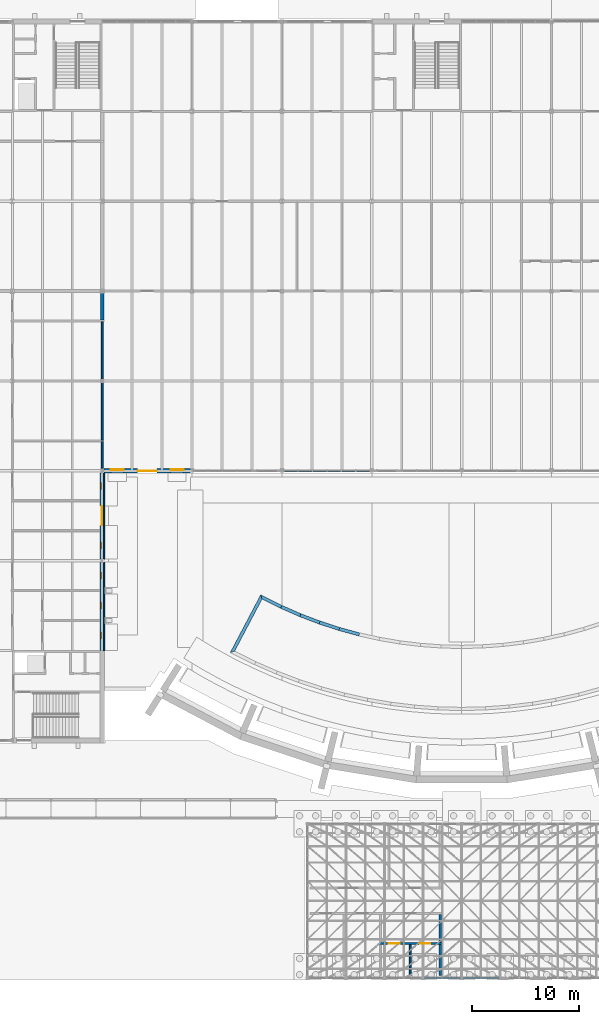
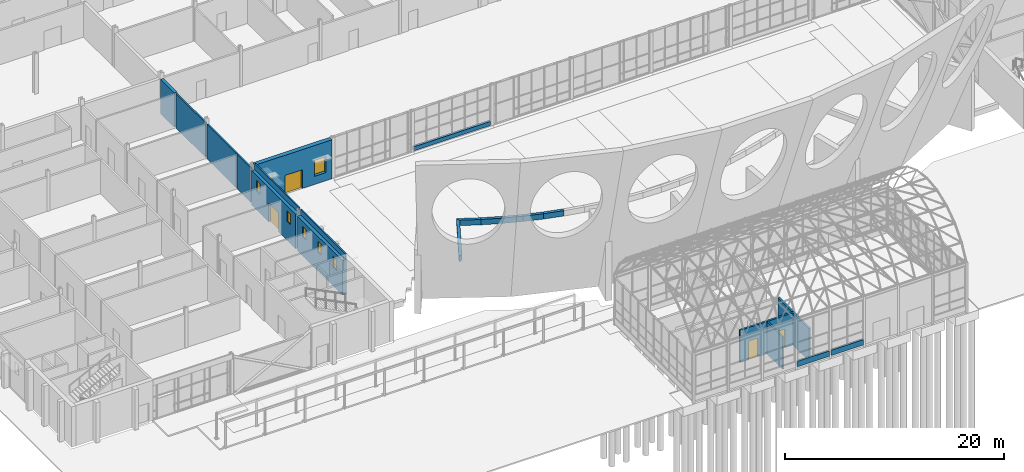
# One storey, part 86 of 116: 22 walls, 7 windows, 4 doors, 11 openings.
"""IFC4 building model written with IfcOpenShell, lengths in metres."""

from ifc_helpers import new_model, si_unit, direction, frame, frame_2d, origin, place, context, subcontext, project, spatial, polyline, rectangle, outline, extrude, material, layer, layer_set, type_object, element, fill, save


model = new_model("IFC4")

# Units and contexts
model_context = context("Model", 3, precision=1e-05, world=origin(), true_north=direction((0.0, 1.0)))
body_context = subcontext(model_context, "Body", "Model", "MODEL_VIEW")
ifc_project = project(units=[si_unit("LENGTHUNIT", "METRE"), si_unit("AREAUNIT", "SQUARE_METRE"), si_unit("VOLUMEUNIT", "CUBIC_METRE"), si_unit("PLANEANGLEUNIT", "RADIAN"), si_unit("MASSUNIT", "GRAM", prefix="KILO")], contexts=[model_context])

# Site, building, storey
site_placement = place(None, origin())
site = spatial("IfcSite", under=ifc_project, at=site_placement, CompositionType="ELEMENT")
building_placement = place(site_placement, origin())
building = spatial("IfcBuilding", under=site, at=building_placement, Name="Ardhachandra Cancer Care Centre", CompositionType="ELEMENT")
storey_placement = place(building_placement, origin())
storey = spatial("IfcBuildingStorey", under=building, at=storey_placement, Name="L00", CompositionType="ELEMENT", Elevation=0.0)

# Wall
ifc_material_1 = material(Name="Brick masonry", Category="masonry")
ifc_layer_1 = layer(ifc_material_1, 0.300048828125)
ifc_layer_set_1 = layer_set([ifc_layer_1], Name="Brick masonry")
wall_type_1 = type_object("IfcWallType", Name="COMPARTMENT WALL 300", PredefinedType="SOLIDWALL", material=ifc_layer_set_1)
wall_1_placement = place(storey_placement, frame((44.39990234375, 68.679931640625, 0.0), z_axis=(0.0, 0.0, 1.0), x_axis=(0.0, 1.0, 0.0)))
element("IfcWall", 1, at=wall_1_placement, inside=storey, type_object=wall_type_1, Name="R/wall/L00/v0044400_0068680", PredefinedType="SOLIDWALL", context=body_context, shape_type="SweptSolid", body=[
    extrude(rectangle(XDim=2.524658203125, YDim=0.300048828125, at=frame_2d((1.26220703125, 0.0))), origin(), (0.0, 0.0, 1.0), 3.85009765625),
])

# Wall, openings, doors
ifc_material_2 = material(Name="Gypsum board corridor partition on steel studs", Category="steel")
ifc_layer_2 = layer(ifc_material_2, 0.199951171875)
ifc_layer_set_2 = layer_set([ifc_layer_2], Name="Gypsum board corridor partition on steel studs")
wall_type_2 = type_object("IfcWallType", Name="CORRIDOR WALL 200", PredefinedType="PARTITIONING", material=ifc_layer_set_2)
wall_2_placement = place(storey_placement, frame((70.300048828125, 10.39990234375, 0.0), z_axis=(0.0, 0.0, 1.0), x_axis=(1.0, 0.0, 0.0)))
wall_2 = element("IfcWall", 2, at=wall_2_placement, inside=storey, type_object=wall_type_2, Name="R/wall/L00/h0010400_0070300", PredefinedType="PARTITIONING", context=body_context, shape_type="SweptSolid", body=[
    extrude(rectangle(XDim=5.800048828125, YDim=0.199951171875, at=frame_2d((2.89990234375, 0.0))), origin(), (0.0, 0.0, 1.0), 3.60009765625),
])
opening_1_placement = place(wall_2_placement, frame((0.89990234375, 0.0, 0.0)))
opening_1 = element("IfcOpeningElement", 3, at=opening_1_placement, cuts=wall_2, Name="Opening L00-0001", PredefinedType="OPENING", context=body_context, shape_type="SweptSolid", body=[
    extrude(rectangle(XDim=1.0, YDim=2.10009765625, at=frame_2d((0.5, 1.050048828125))), frame((0.0, 0.10986328125, 0.0), z_axis=(0.0, -1.0, 0.0), x_axis=(1.0, 0.0, 0.0)), (0.0, 0.0, 1.0), 0.219970703125),
])
opening_2_placement = place(wall_2_placement, frame((3.85009765625, 0.0, 0.0)))
opening_2 = element("IfcOpeningElement", 4, at=opening_2_placement, cuts=wall_2, Name="Opening L00-0002", PredefinedType="OPENING", context=body_context, shape_type="SweptSolid", body=[
    extrude(rectangle(XDim=0.89990234375, YDim=2.10009765625, at=frame_2d((0.449951171875, 1.050048828125))), frame((0.0, 0.10986328125, 0.0), z_axis=(0.0, -1.0, 0.0), x_axis=(1.0, 0.0, 0.0)), (0.0, 0.0, 1.0), 0.219970703125),
])
ifc_material_3 = material(Name="Timber fire door with smoke seals", Category="wood")
door_type_1 = type_object("IfcDoorType", Name="FIRE DOOR SINGLE 1000x2100 FD30S", OperationType="NOTDEFINED", PredefinedType="DOOR", material=ifc_material_3)
door_1_placement = place(opening_1_placement, origin())
door_1 = element("IfcDoor", 5, at=door_1_placement, inside=storey, type_object=door_type_1, Name="Door L00-0001", OperationType="SINGLE_SWING_LEFT", OverallHeight=2.10009765625, OverallWidth=1.0, PredefinedType="DOOR", context=body_context, shape_type="SweptSolid", body=[
    extrude(rectangle(XDim=1.0, YDim=2.10009765625, at=frame_2d((0.5, 1.050048828125))), frame((0.0, 0.02490234375, 0.0), z_axis=(0.0, -1.0, 0.0), x_axis=(1.0, 0.0, 0.0)), (0.0, 0.0, 1.0), 0.050048828125),
])
fill(opening_1, door_1)
ifc_material_4 = material(Name="Timber fire door with smoke seals", Category="wood")
door_type_2 = type_object("IfcDoorType", Name="FIRE DOOR WC 900x2100 FD30S", OperationType="NOTDEFINED", PredefinedType="DOOR", material=ifc_material_4)
door_2_placement = place(opening_2_placement, origin())
door_2 = element("IfcDoor", 6, at=door_2_placement, inside=storey, type_object=door_type_2, Name="Door L00-0002", OperationType="SINGLE_SWING_LEFT", OverallHeight=2.10009765625, OverallWidth=0.89990234375, PredefinedType="DOOR", context=body_context, shape_type="SweptSolid", body=[
    extrude(rectangle(XDim=0.89990234375, YDim=2.10009765625, at=frame_2d((0.449951171875, 1.050048828125))), frame((0.0, 0.02490234375, 0.0), z_axis=(0.0, -1.0, 0.0), x_axis=(1.0, 0.0, 0.0)), (0.0, 0.0, 1.0), 0.050048828125),
])
fill(opening_2, door_2)

# Walls
wall_3_placement = place(storey_placement, frame((76.0, 7.425048828125, 0.0), z_axis=(0.0, 0.0, 1.0), x_axis=(0.0, 1.0, 0.0)))
element("IfcWall", 7, at=wall_3_placement, inside=storey, type_object=wall_type_2, Name="R/wall/L00/v0076000_0007425", PredefinedType="PARTITIONING", context=body_context, shape_type="SweptSolid", body=[
    extrude(rectangle(XDim=2.875, YDim=0.199951171875, at=frame_2d((1.4375, 0.0))), origin(), (0.0, 0.0, 1.0), 3.60009765625),
])
wall_4_placement = place(storey_placement, frame((76.0, 10.5, 0.0), z_axis=(0.0, 0.0, 1.0), x_axis=(0.0, 1.0, 0.0)))
element("IfcWall", 8, at=wall_4_placement, inside=storey, type_object=wall_type_2, Name="R/wall/L00/v0076000_0010500", PredefinedType="PARTITIONING", context=body_context, shape_type="SweptSolid", body=[
    extrude(rectangle(XDim=2.60009765625, YDim=0.199951171875, at=frame_2d((1.300048828125, 0.0))), origin(), (0.0, 0.0, 1.0), 3.60009765625),
])
ifc_material_5 = material(Name="Precast Concrete M30 fascia panel with brick slip facing", Category="masonry")
ifc_layer_3 = layer(ifc_material_5, 0.1298828125)
ifc_layer_set_3 = layer_set([ifc_layer_3], Name="Precast Concrete M30 fascia panel with brick slip facing")
wall_type_3 = type_object("IfcWallType", Name="Edge beam fascia 130", PredefinedType="SOLIDWALL", material=ifc_layer_set_3)
wall_5_placement = place(storey_placement, frame((44.56005859375, 37.800048828125, 3.8701171875), z_axis=(0.0, 0.0, 1.0), x_axis=(0.0, 1.0, 0.0)))
element("IfcWall", 9, at=wall_5_placement, inside=storey, type_object=wall_type_3, Name="E/fascia/L00/e/0044400_0037800", PredefinedType="SOLIDWALL", context=body_context, shape_type="SweptSolid", body=[
    extrude(rectangle(XDim=8.2548828125, YDim=0.1298828125, at=frame_2d((4.12744140625, 0.0))), origin(), (0.0, 0.0, 1.0), 0.6298828125),
])
wall_6_placement = place(storey_placement, frame((44.56005859375, 46.344970703125, 3.8701171875), z_axis=(0.0, 0.0, 1.0), x_axis=(0.0, 1.0, 0.0)))
element("IfcWall", 10, at=wall_6_placement, inside=storey, type_object=wall_type_3, Name="E/fascia/L00/e/0044400_0046200", PredefinedType="SOLIDWALL", context=body_context, shape_type="SweptSolid", body=[
    extrude(rectangle(XDim=8.054931640625, YDim=0.1298828125, at=frame_2d((4.02734375, 0.0))), origin(), (0.0, 0.0, 1.0), 0.6298828125),
])
ifc_material_6 = material(Name="Lead-lined gypsum board partition (1.5 mm lead)")
ifc_layer_4 = layer(ifc_material_6, 0.159912109375)
ifc_layer_set_4 = layer_set([ifc_layer_4], Name="Lead-lined gypsum board partition (1.5 mm lead)")
wall_type_4 = type_object("IfcWallType", Name="LEAD-LINED PARTITION 160", PredefinedType="PARTITIONING", material=ifc_layer_set_4)
wall_7_placement = place(storey_placement, frame((44.39990234375, 54.824951171875, 0.0), z_axis=(0.0, 0.0, 1.0), x_axis=(0.0, 1.0, 0.0)))
element("IfcWall", 11, at=wall_7_placement, inside=storey, type_object=wall_type_4, Name="R/wall/L00/v0044400_0054825", PredefinedType="PARTITIONING", context=body_context, shape_type="SweptSolid", body=[
    extrude(rectangle(XDim=2.4951171875, YDim=0.159912109375, at=frame_2d((1.24755859375, 0.0))), origin(), (0.0, 0.0, 1.0), 3.85009765625),
])
for number, where, z_axis, x_axis, name in (
    (12, (44.39990234375, 57.47998046875, 0.0), (0.0, 0.0, 1.0), (0.0, 1.0, 0.0), "R/wall/L00/v0044400_0057480"),
    (13, (44.39990234375, 63.14990234375, 0.0), (0.0, 0.0, 1.0), (0.0, 1.0, 0.0), "R/wall/L00/v0044400_0063150"),
):
    element("IfcWall", number, at=place(storey_placement, frame(where, z_axis=z_axis, x_axis=x_axis)), inside=storey, type_object=wall_type_4, Name=name, PredefinedType="PARTITIONING", context=body_context, shape_type="SweptSolid", body=[
        extrude(rectangle(XDim=5.3701171875, YDim=0.159912109375, at=frame_2d((2.68505859375, 0.0))), origin(), (0.0, 0.0, 1.0), 3.85009765625),
    ])
ifc_material_7 = material(Name="Stone masonry (sandstone, cement mortar)", Category="masonry")
ifc_layer_5 = layer(ifc_material_7, 0.199951171875)
ifc_layer_set_5 = layer_set([ifc_layer_5], Name="Stone masonry (sandstone, cement mortar)")
wall_type_5 = type_object("IfcWallType", Name="Pavilion low wall 200", PredefinedType="SOLIDWALL", material=ifc_layer_set_5)
for number, where, z_axis, x_axis, name in (
    (14, (74.514892578125, 7.199951171875, 0.0), (0.0, 0.0, 1.0), (1.0, 0.0, 0.0), "Pavilion plinth wall s 4"),
    (15, (78.114990234375, 7.199951171875, 0.0), (0.0, 0.0, 1.0), (1.0, 0.0, 0.0), "Pavilion plinth wall s 5"),
):
    element("IfcWall", number, at=place(storey_placement, frame(where, z_axis=z_axis, x_axis=x_axis)), inside=storey, type_object=wall_type_5, Name=name, PredefinedType="SOLIDWALL", context=body_context, shape_type="SweptSolid", body=[
        extrude(rectangle(XDim=3.3701171875, YDim=0.199951171875, at=frame_2d((1.68505859375, 0.0))), origin(), (0.0, 0.0, 1.0), 0.60009765625),
    ])
ifc_material_8 = material(Name="Granite", Category="masonry")
ifc_layer_6 = layer(ifc_material_8, 0.300048828125)
ifc_layer_set_6 = layer_set([ifc_layer_6], Name="Granite")
wall_type_6 = type_object("IfcWallType", Name="Pool kerb 300 granite", PredefinedType="SOLIDWALL", material=ifc_layer_set_6)
wall_8_placement = place(storey_placement, frame((0.0, 0.0, -0.449951171875)))
element("IfcWall", 16, at=wall_8_placement, inside=storey, type_object=wall_type_6, Name="Pool kerb 37", PredefinedType="SOLIDWALL", context=body_context, shape_type="SweptSolid", body=[
    extrude(outline(polyline([(68.389404296875, 39.16064453125), (66.51708984375, 39.67236328125), (66.603271484375, 39.959716796875), (68.46142578125, 39.451904296875), (68.389404296875, 39.16064453125)])), origin(), (0.0, 0.0, 1.0), 0.599853515625),
])
wall_9_placement = place(storey_placement, frame((0.0, 0.0, -0.449951171875)))
element("IfcWall", 17, at=wall_9_placement, inside=storey, type_object=wall_type_6, Name="Pool kerb 38", PredefinedType="SOLIDWALL", context=body_context, shape_type="SweptSolid", body=[
    extrude(outline(polyline([(66.51708984375, 39.67236328125), (64.671875, 40.274169921875), (64.77197265625, 40.55712890625), (66.603271484375, 39.959716796875), (66.51708984375, 39.67236328125)])), origin(), (0.0, 0.0, 1.0), 0.599853515625),
])
wall_10_placement = place(storey_placement, frame((0.0, 0.0, -0.449951171875)))
element("IfcWall", 18, at=wall_10_placement, inside=storey, type_object=wall_type_6, Name="Pool kerb 39", PredefinedType="SOLIDWALL", context=body_context, shape_type="SweptSolid", body=[
    extrude(outline(polyline([(64.671875, 40.274169921875), (62.858154296875, 40.965087890625), (62.9716796875, 41.24267578125), (64.77197265625, 40.55712890625), (64.671875, 40.274169921875)])), origin(), (0.0, 0.0, 1.0), 0.599853515625),
])
wall_11_placement = place(storey_placement, frame((0.0, 0.0, -0.449951171875)))
element("IfcWall", 19, at=wall_11_placement, inside=storey, type_object=wall_type_6, Name="Pool kerb 40", PredefinedType="SOLIDWALL", context=body_context, shape_type="SweptSolid", body=[
    extrude(outline(polyline([(62.858154296875, 40.965087890625), (61.079833984375, 41.742919921875), (61.206787109375, 42.014892578125), (62.9716796875, 41.24267578125), (62.858154296875, 40.965087890625)])), origin(), (0.0, 0.0, 1.0), 0.599853515625),
])
wall_12_placement = place(storey_placement, frame((0.0, 0.0, -0.449951171875)))
element("IfcWall", 20, at=wall_12_placement, inside=storey, type_object=wall_type_6, Name="Pool kerb 41", PredefinedType="SOLIDWALL", context=body_context, shape_type="SweptSolid", body=[
    extrude(outline(polyline([(61.079833984375, 41.742919921875), (59.341552734375, 42.606201171875), (59.212646484375, 43.005126953125), (61.206787109375, 42.014892578125), (61.079833984375, 41.742919921875)])), origin(), (0.0, 0.0, 1.0), 0.599853515625),
])
wall_13_placement = place(storey_placement, frame((0.0, 0.0, -0.449951171875)))
element("IfcWall", 21, at=wall_13_placement, inside=storey, type_object=wall_type_6, Name="Pool kerb 42", PredefinedType="SOLIDWALL", context=body_context, shape_type="SweptSolid", body=[
    extrude(outline(polyline([(59.341552734375, 42.606201171875), (56.776611328125, 37.74072265625), (56.367919921875, 37.608642578125), (59.212646484375, 43.005126953125), (59.341552734375, 42.606201171875)])), origin(), (0.0, 0.0, 1.0), 0.599853515625),
])

# Wall, openings, windows
ifc_material_9 = material(Name="Brick masonry with Concrete M30 core 150", Category="masonry")
ifc_layer_7 = layer(ifc_material_9, 0.449951171875)
ifc_layer_set_7 = layer_set([ifc_layer_7], Name="Brick masonry with Concrete M30 core 150")
wall_type_7 = type_object("IfcWallType", Name="Shielded brick wall 450", PredefinedType="SOLIDWALL", material=ifc_layer_set_7)
wall_14_placement = place(storey_placement, frame((44.39990234375, 37.800048828125, 0.0), z_axis=(0.0, 0.0, 1.0), x_axis=(0.0, 1.0, 0.0)))
wall_14 = element("IfcWall", 22, at=wall_14_placement, inside=storey, type_object=wall_type_7, Name="E/wall/L00/e/0044400_0037800", PredefinedType="SOLIDWALL", context=body_context, shape_type="SweptSolid", body=[
    extrude(rectangle(XDim=8.2548828125, YDim=0.449951171875, at=frame_2d((4.12744140625, 0.0))), origin(), (0.0, 0.0, 1.0), 3.85009765625),
])
opening_3_placement = place(wall_14_placement, frame((1.10009765625, 0.0, 2.10009765625)))
opening_3 = element("IfcOpeningElement", 23, at=opening_3_placement, cuts=wall_14, Name="Opening W4", PredefinedType="OPENING", context=body_context, shape_type="SweptSolid", body=[
    extrude(rectangle(XDim=0.60009765625, YDim=1.199951171875, at=frame_2d((0.300048828125, 0.60009765625))), frame((0.0, 0.23486328125, 0.0), z_axis=(0.0, -1.0, 0.0), x_axis=(1.0, 0.0, 0.0)), (0.0, 0.0, 1.0), 0.469970703125),
])
opening_4_placement = place(wall_14_placement, frame((3.89990234375, 0.0, 2.10009765625)))
opening_4 = element("IfcOpeningElement", 24, at=opening_4_placement, cuts=wall_14, Name="Opening W4", PredefinedType="OPENING", context=body_context, shape_type="SweptSolid", body=[
    extrude(rectangle(XDim=0.60009765625, YDim=1.199951171875, at=frame_2d((0.300048828125, 0.60009765625))), frame((0.0, 0.23486328125, 0.0), z_axis=(0.0, -1.0, 0.0), x_axis=(1.0, 0.0, 0.0)), (0.0, 0.0, 1.0), 0.469970703125),
])
opening_5_placement = place(wall_14_placement, frame((6.699951171875, 0.0, 2.10009765625)))
opening_5 = element("IfcOpeningElement", 25, at=opening_5_placement, cuts=wall_14, Name="Opening W4", PredefinedType="OPENING", context=body_context, shape_type="SweptSolid", body=[
    extrude(rectangle(XDim=0.60009765625, YDim=1.199951171875, at=frame_2d((0.300048828125, 0.60009765625))), frame((0.0, 0.23486328125, 0.0), z_axis=(0.0, -1.0, 0.0), x_axis=(1.0, 0.0, 0.0)), (0.0, 0.0, 1.0), 0.469970703125),
])
ifc_material_10 = material(Name="Aluminium frame with double-glazed unit", Category="aluminium")
window_type_1 = type_object("IfcWindowType", Name="Slot window 600 x 1200", PartitioningType="SINGLE_PANEL", PredefinedType="WINDOW", material=ifc_material_10)
window_1_placement = place(opening_3_placement, origin())
window_1 = element("IfcWindow", 26, at=window_1_placement, inside=storey, type_object=window_type_1, Name="W4 window L00 e/0044400_0037800 1", OverallHeight=1.199951171875, OverallWidth=0.60009765625, PartitioningType="SINGLE_PANEL", PredefinedType="WINDOW", context=body_context, shape_type="SweptSolid", body=[
    extrude(rectangle(XDim=0.60009765625, YDim=1.199951171875, at=frame_2d((0.300048828125, 0.60009765625))), frame((0.0, 0.135009765625, 0.0), z_axis=(0.0, -1.0, 0.0), x_axis=(1.0, 0.0, 0.0)), (0.0, 0.0, 1.0), 0.06005859375),
])
fill(opening_3, window_1)
window_2_placement = place(opening_4_placement, origin())
window_2 = element("IfcWindow", 27, at=window_2_placement, inside=storey, type_object=window_type_1, Name="W4 window L00 e/0044400_0037800 2", OverallHeight=1.199951171875, OverallWidth=0.60009765625, PartitioningType="SINGLE_PANEL", PredefinedType="WINDOW", context=body_context, shape_type="SweptSolid", body=[
    extrude(rectangle(XDim=0.60009765625, YDim=1.199951171875, at=frame_2d((0.300048828125, 0.60009765625))), frame((0.0, 0.135009765625, 0.0), z_axis=(0.0, -1.0, 0.0), x_axis=(1.0, 0.0, 0.0)), (0.0, 0.0, 1.0), 0.06005859375),
])
fill(opening_4, window_2)
window_3_placement = place(opening_5_placement, origin())
window_3 = element("IfcWindow", 28, at=window_3_placement, inside=storey, type_object=window_type_1, Name="W4 window L00 e/0044400_0037800 3", OverallHeight=1.199951171875, OverallWidth=0.60009765625, PartitioningType="SINGLE_PANEL", PredefinedType="WINDOW", context=body_context, shape_type="SweptSolid", body=[
    extrude(rectangle(XDim=0.60009765625, YDim=1.199951171875, at=frame_2d((0.300048828125, 0.60009765625))), frame((0.0, 0.135009765625, 0.0), z_axis=(0.0, -1.0, 0.0), x_axis=(1.0, 0.0, 0.0)), (0.0, 0.0, 1.0), 0.06005859375),
])
fill(opening_5, window_3)

# Wall, openings, door, windows
wall_15_placement = place(storey_placement, frame((44.39990234375, 46.344970703125, 0.0), z_axis=(0.0, 0.0, 1.0), x_axis=(0.0, 1.0, 0.0)))
wall_15 = element("IfcWall", 29, at=wall_15_placement, inside=storey, type_object=wall_type_7, Name="E/wall/L00/e/0044400_0046200", PredefinedType="SOLIDWALL", context=body_context, shape_type="SweptSolid", body=[
    extrude(rectangle(XDim=8.054931640625, YDim=0.449951171875, at=frame_2d((4.02734375, 0.0))), origin(), (0.0, 0.0, 1.0), 3.85009765625),
])
opening_6_placement = place(wall_15_placement, frame((0.955078125, 0.0, 2.10009765625)))
opening_6 = element("IfcOpeningElement", 30, at=opening_6_placement, cuts=wall_15, Name="Opening W4", PredefinedType="OPENING", context=body_context, shape_type="SweptSolid", body=[
    extrude(rectangle(XDim=0.60009765625, YDim=1.199951171875, at=frame_2d((0.300048828125, 0.60009765625))), frame((0.0, 0.23486328125, 0.0), z_axis=(0.0, -1.0, 0.0), x_axis=(1.0, 0.0, 0.0)), (0.0, 0.0, 1.0), 0.469970703125),
])
opening_7_placement = place(wall_15_placement, frame((6.554931640625, 0.0, 2.10009765625)))
opening_7 = element("IfcOpeningElement", 31, at=opening_7_placement, cuts=wall_15, Name="Opening W4", PredefinedType="OPENING", context=body_context, shape_type="SweptSolid", body=[
    extrude(rectangle(XDim=0.60009765625, YDim=1.199951171875, at=frame_2d((0.300048828125, 0.60009765625))), frame((0.0, 0.23486328125, 0.0), z_axis=(0.0, -1.0, 0.0), x_axis=(1.0, 0.0, 0.0)), (0.0, 0.0, 1.0), 0.469970703125),
])
opening_8_placement = place(wall_15_placement, frame((3.155029296875, 0.0, 0.0)))
opening_8 = element("IfcOpeningElement", 32, at=opening_8_placement, cuts=wall_15, Name="Opening L00-X08", PredefinedType="OPENING", context=body_context, shape_type="SweptSolid", body=[
    extrude(rectangle(XDim=1.800048828125, YDim=2.10009765625, at=frame_2d((0.89990234375, 1.050048828125))), frame((0.0, 0.23486328125, 0.0), z_axis=(0.0, -1.0, 0.0), x_axis=(1.0, 0.0, 0.0)), (0.0, 0.0, 1.0), 0.469970703125),
])
ifc_material_11 = material(Name="Hollow steel door set with fire-rated infill", Category="steel")
door_type_3 = type_object("IfcDoorType", Name="Exit door pair 1800 x 2100", OperationType="DOUBLE_DOOR_SINGLE_SWING", PredefinedType="DOOR", material=ifc_material_11)
door_3_placement = place(opening_8_placement, origin())
door_3 = element("IfcDoor", 33, at=door_3_placement, inside=storey, type_object=door_type_3, Name="Imaging Court Exit L00-X08", OperationType="SINGLE_SWING_LEFT", OverallHeight=2.10009765625, OverallWidth=1.800048828125, PredefinedType="DOOR", context=body_context, shape_type="SweptSolid", body=[
    extrude(rectangle(XDim=1.800048828125, YDim=2.10009765625, at=frame_2d((0.89990234375, 1.050048828125))), frame((0.0, 0.02490234375, 0.0), z_axis=(0.0, -1.0, 0.0), x_axis=(1.0, 0.0, 0.0)), (0.0, 0.0, 1.0), 0.050048828125),
])
fill(opening_8, door_3)
window_4_placement = place(opening_6_placement, origin())
window_4 = element("IfcWindow", 34, at=window_4_placement, inside=storey, type_object=window_type_1, Name="W4 window L00 e/0044400_0046200 1", OverallHeight=1.199951171875, OverallWidth=0.60009765625, PartitioningType="SINGLE_PANEL", PredefinedType="WINDOW", context=body_context, shape_type="SweptSolid", body=[
    extrude(rectangle(XDim=0.60009765625, YDim=1.199951171875, at=frame_2d((0.300048828125, 0.60009765625))), frame((0.0, 0.135009765625, 0.0), z_axis=(0.0, -1.0, 0.0), x_axis=(1.0, 0.0, 0.0)), (0.0, 0.0, 1.0), 0.06005859375),
])
fill(opening_6, window_4)
window_5_placement = place(opening_7_placement, origin())
window_5 = element("IfcWindow", 35, at=window_5_placement, inside=storey, type_object=window_type_1, Name="W4 window L00 e/0044400_0046200 2", OverallHeight=1.199951171875, OverallWidth=0.60009765625, PartitioningType="SINGLE_PANEL", PredefinedType="WINDOW", context=body_context, shape_type="SweptSolid", body=[
    extrude(rectangle(XDim=0.60009765625, YDim=1.199951171875, at=frame_2d((0.300048828125, 0.60009765625))), frame((0.0, 0.135009765625, 0.0), z_axis=(0.0, -1.0, 0.0), x_axis=(1.0, 0.0, 0.0)), (0.0, 0.0, 1.0), 0.06005859375),
])
fill(opening_7, window_5)

# Wall, openings, windows, door
wall_16_placement = place(storey_placement, frame((44.550048828125, 54.60009765625, 0.0), z_axis=(0.0, 0.0, 1.0), x_axis=(1.0, 0.0, 0.0)))
wall_16 = element("IfcWall", 36, at=wall_16_placement, inside=storey, type_object=wall_type_7, Name="E/wall/L00/s/0044400_0054600", PredefinedType="SOLIDWALL", context=body_context, shape_type="SweptSolid", body=[
    extrude(rectangle(XDim=8.099853515625, YDim=0.449951171875, at=frame_2d((4.0498046875, 0.0))), origin(), (0.0, 0.0, 1.0), 4.35009765625),
])
opening_9_placement = place(wall_16_placement, frame((0.64990234375, 0.0, 0.89990234375)))
opening_9 = element("IfcOpeningElement", 37, at=opening_9_placement, cuts=wall_16, Name="Opening W1", PredefinedType="OPENING", context=body_context, shape_type="SweptSolid", body=[
    extrude(rectangle(XDim=1.199951171875, YDim=1.800048828125, at=frame_2d((0.60009765625, 0.89990234375))), frame((0.0, 0.23486328125, 0.0), z_axis=(0.0, -1.0, 0.0), x_axis=(1.0, 0.0, 0.0)), (0.0, 0.0, 1.0), 0.469970703125),
])
opening_10_placement = place(wall_16_placement, frame((6.25, 0.0, 0.89990234375)))
opening_10 = element("IfcOpeningElement", 38, at=opening_10_placement, cuts=wall_16, Name="Opening W1", PredefinedType="OPENING", context=body_context, shape_type="SweptSolid", body=[
    extrude(rectangle(XDim=1.199951171875, YDim=1.800048828125, at=frame_2d((0.60009765625, 0.89990234375))), frame((0.0, 0.23486328125, 0.0), z_axis=(0.0, -1.0, 0.0), x_axis=(1.0, 0.0, 0.0)), (0.0, 0.0, 1.0), 0.469970703125),
])
opening_11_placement = place(wall_16_placement, frame((3.14990234375, 0.0, 0.0)))
opening_11 = element("IfcOpeningElement", 39, at=opening_11_placement, cuts=wall_16, Name="Opening L00-X09", PredefinedType="OPENING", context=body_context, shape_type="SweptSolid", body=[
    extrude(rectangle(XDim=1.800048828125, YDim=2.10009765625, at=frame_2d((0.89990234375, 1.050048828125))), frame((0.0, 0.23486328125, 0.0), z_axis=(0.0, -1.0, 0.0), x_axis=(1.0, 0.0, 0.0)), (0.0, 0.0, 1.0), 0.469970703125),
])
ifc_material_12 = material(Name="Aluminium frame with double-glazed unit", Category="aluminium")
window_type_2 = type_object("IfcWindowType", Name="Deep-set window 1200 x 1800", PartitioningType="SINGLE_PANEL", PredefinedType="WINDOW", material=ifc_material_12)
window_6_placement = place(opening_9_placement, origin())
window_6 = element("IfcWindow", 40, at=window_6_placement, inside=storey, type_object=window_type_2, Name="W1 window L00 s/0044400_0054600 1", OverallHeight=1.800048828125, OverallWidth=1.199951171875, PartitioningType="SINGLE_PANEL", PredefinedType="WINDOW", context=body_context, shape_type="SweptSolid", body=[
    extrude(rectangle(XDim=1.199951171875, YDim=1.800048828125, at=frame_2d((0.60009765625, 0.89990234375))), frame((0.0, 0.135009765625, 0.0), z_axis=(0.0, -1.0, 0.0), x_axis=(1.0, 0.0, 0.0)), (0.0, 0.0, 1.0), 0.06005859375),
])
fill(opening_9, window_6)
window_7_placement = place(opening_10_placement, origin())
window_7 = element("IfcWindow", 41, at=window_7_placement, inside=storey, type_object=window_type_2, Name="W1 window L00 s/0044400_0054600 2", OverallHeight=1.800048828125, OverallWidth=1.199951171875, PartitioningType="SINGLE_PANEL", PredefinedType="WINDOW", context=body_context, shape_type="SweptSolid", body=[
    extrude(rectangle(XDim=1.199951171875, YDim=1.800048828125, at=frame_2d((0.60009765625, 0.89990234375))), frame((0.0, 0.135009765625, 0.0), z_axis=(0.0, -1.0, 0.0), x_axis=(1.0, 0.0, 0.0)), (0.0, 0.0, 1.0), 0.06005859375),
])
fill(opening_10, window_7)
door_4_placement = place(opening_11_placement, origin())
door_4 = element("IfcDoor", 42, at=door_4_placement, inside=storey, type_object=door_type_3, Name="Hall Court Exit Door L00-X09", OperationType="SINGLE_SWING_LEFT", OverallHeight=2.10009765625, OverallWidth=1.800048828125, PredefinedType="DOOR", context=body_context, shape_type="SweptSolid", body=[
    extrude(rectangle(XDim=1.800048828125, YDim=2.10009765625, at=frame_2d((0.89990234375, 1.050048828125))), frame((0.0, 0.02490234375, 0.0), z_axis=(0.0, -1.0, 0.0), x_axis=(1.0, 0.0, 0.0)), (0.0, 0.0, 1.0), 0.050048828125),
])
fill(opening_11, door_4)

# Walls
ifc_material_13 = material(Name="Granite facing on Concrete M30", Category="masonry")
ifc_layer_8 = layer(ifc_material_13, 0.25)
ifc_layer_set_8 = layer_set([ifc_layer_8], Name="Granite facing on Concrete M30")
wall_type_8 = type_object("IfcWallType", Name="Stone-faced plinth wall 250", PredefinedType="SOLIDWALL", material=ifc_layer_set_8)
wall_17_placement = place(storey_placement, frame((61.35009765625, 54.60009765625, 0.0), z_axis=(0.0, 0.0, 1.0), x_axis=(1.0, 0.0, 0.0)))
element("IfcWall", 43, at=wall_17_placement, inside=storey, type_object=wall_type_8, Name="E/plinth/L00/s/0061200_0054600", PredefinedType="SOLIDWALL", context=body_context, shape_type="SweptSolid", body=[
    extrude(rectangle(XDim=8.099853515625, YDim=0.25, at=frame_2d((4.0498046875, 0.0))), origin(), (0.0, 0.0, 1.0), 0.449951171875),
])
ifc_material_14 = material(Name="Tiled gypsum board partition on steel studs", Category="steel")
ifc_layer_9 = layer(ifc_material_14, 0.14990234375)
ifc_layer_set_9 = layer_set([ifc_layer_9], Name="Tiled gypsum board partition on steel studs")
wall_type_9 = type_object("IfcWallType", Name="WET ROOM PARTITION 150", PredefinedType="PARTITIONING", material=ifc_layer_set_9)
wall_18_placement = place(storey_placement, frame((73.199951171875, 7.425048828125, 0.0), z_axis=(0.0, 0.0, 1.0), x_axis=(0.0, 1.0, 0.0)))
element("IfcWall", 44, at=wall_18_placement, inside=storey, type_object=wall_type_9, Name="R/wall/L00/v0073200_0007425", PredefinedType="PARTITIONING", context=body_context, shape_type="SweptSolid", body=[
    extrude(rectangle(XDim=2.875, YDim=0.14990234375, at=frame_2d((1.4375, 0.0))), origin(), (0.0, 0.0, 1.0), 3.60009765625),
])

save(model, "model.ifc")
